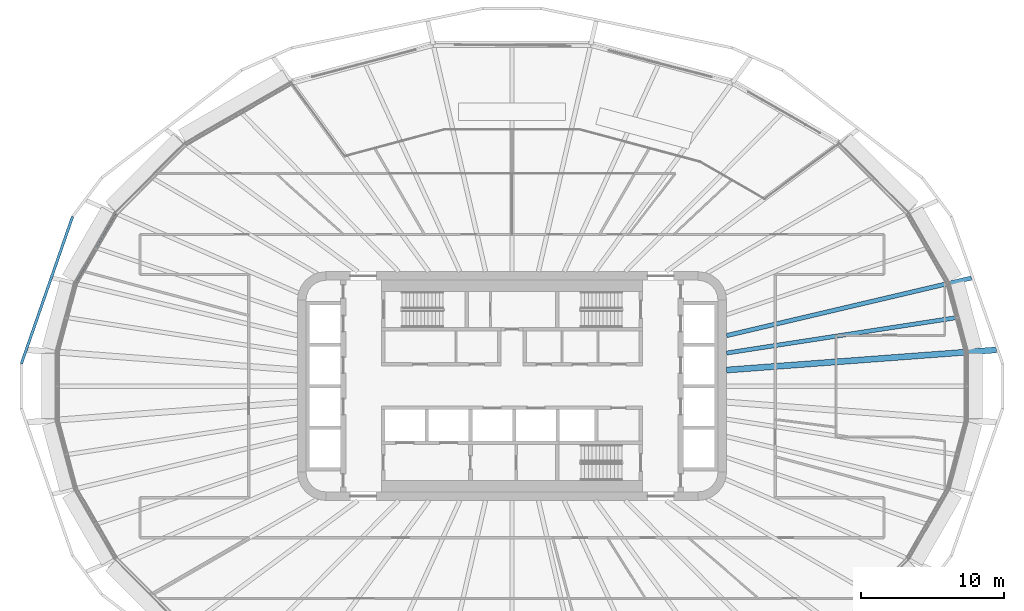
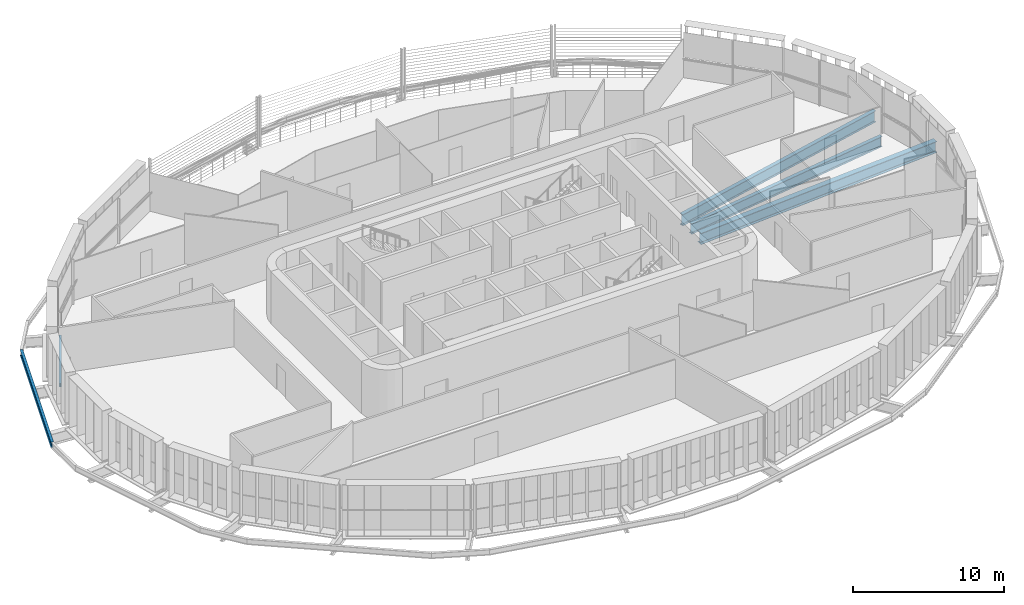
# One storey, part 6 of 24: 5 beams.
"""IFC4 building model written with IfcOpenShell, lengths in metres."""

from ifc_helpers import new_model, si_unit, direction, frame, origin, origin_2d, place, context, subcontext, project, spatial, i_section, extrude, material, material_profile, profile_set, type_object, element, save


model = new_model("IFC4")

# Units and contexts
model_context = context("Model", 3, precision=1e-05, world=origin(), true_north=direction((0.0, 1.0)))
body_context = subcontext(model_context, "Body", "Model", "MODEL_VIEW")
ifc_project = project(units=[si_unit("LENGTHUNIT", "METRE"), si_unit("AREAUNIT", "SQUARE_METRE"), si_unit("VOLUMEUNIT", "CUBIC_METRE"), si_unit("PLANEANGLEUNIT", "RADIAN"), si_unit("MASSUNIT", "GRAM", prefix="KILO")], contexts=[model_context])

# Site, building, storey
site_placement = place(None, origin())
site = spatial("IfcSite", under=ifc_project, at=site_placement, CompositionType="ELEMENT")
building_placement = place(site_placement, origin())
building = spatial("IfcBuilding", under=site, at=building_placement, Name="Sahrelin Media Tower", CompositionType="ELEMENT")
storey_placement = place(building_placement, frame((0.0, 0.0, 118.800048828125)))
storey = spatial("IfcBuildingStorey", under=building, at=storey_placement, Name="L23", CompositionType="ELEMENT", Elevation=118.800048828125)

# Beams
ifc_material = material(Name="Steel S355", Category="steel")
ifc_material_profile_1 = material_profile(ifc_material, i_section(OverallWidth=0.1650390625, OverallDepth=0.303466796875, WebThickness=0.006103515625, FlangeThickness=0.01025390625, FilletRadius=0.0087890625, at=origin_2d()), Name="UB 305x165x40")
ifc_profile_set_1 = profile_set([ifc_material_profile_1], Name="Steel S355")
beam_type_1 = type_object("IfcBeamType", Name="Edge beam EB2", PredefinedType="BEAM", material=ifc_profile_set_1)
beam_1_placement = place(storey_placement, frame((-30.445068359375, 7.150146484375, -0.3017578125), z_axis=(0.500039387122, 0.866002662425, 0.0), x_axis=(-0.866002662425, 0.500039387122, 0.0)))
element("IfcBeam", 1, at=beam_1_placement, inside=storey, type_object=beam_type_1, Name="Edge beam L23-15", PredefinedType="BEAM", context=body_context, shape_type="SweptSolid", body=[
    extrude(i_section(OverallWidth=0.1650390625, OverallDepth=0.303466796875, WebThickness=0.006103515625, FlangeThickness=0.01025390625, FilletRadius=0.0087890625, at=origin_2d()), origin(), (0.0, 0.0, 1.0), 5.60107421875),
])
ifc_material_profile_2 = material_profile(ifc_material, i_section(OverallWidth=0.30322265625, OverallDepth=0.903076171875, WebThickness=0.01513671875, FlangeThickness=0.020263671875, FilletRadius=0.01904296875, at=origin_2d()), Name="UB 914x305x201")
ifc_profile_set_2 = profile_set([ifc_material_profile_2], Name="Steel S355")
beam_type_2 = type_object("IfcBeamType", Name="Radial primary beam PB11", PredefinedType="BEAM", material=ifc_profile_set_2)
beam_2_placement = place(storey_placement, frame((15.0, 3.528076171875, -0.6015625), z_axis=(0.973435019662, 0.228963452315, 0.0), x_axis=(-0.228963452315, 0.973435019662, 0.0)))
element("IfcBeam", 2, at=beam_2_placement, inside=storey, type_object=beam_type_2, Name="Radial beam L23-02", PredefinedType="BEAM", context=body_context, shape_type="SweptSolid", body=[
    extrude(i_section(OverallWidth=0.30322265625, OverallDepth=0.903076171875, WebThickness=0.01513671875, FlangeThickness=0.020263671875, FilletRadius=0.01904296875, at=origin_2d()), origin(), (0.0, 0.0, 1.0), 17.574462890625),
])
ifc_material_profile_3 = material_profile(ifc_material, i_section(OverallWidth=0.41845703125, OverallDepth=0.911865234375, WebThickness=0.019287109375, FlangeThickness=0.031982421875, FilletRadius=0.024169921875, at=origin_2d()), Name="UB 914x419x343")
ifc_profile_set_3 = profile_set([ifc_material_profile_3], Name="Steel S355")
beam_type_3 = type_object("IfcBeamType", Name="Radial primary beam PB12", PredefinedType="BEAM", material=ifc_profile_set_3)
beam_3_placement = place(storey_placement, frame((15.0, 1.120849609375, -0.60595703125), z_axis=(0.997220023262, 0.074513255228, 0.0), x_axis=(-0.074513255228, 0.997220023262, 0.0)))
element("IfcBeam", 3, at=beam_3_placement, inside=storey, type_object=beam_type_3, Name="Radial beam L23-01", PredefinedType="BEAM", context=body_context, shape_type="SweptSolid", body=[
    extrude(i_section(OverallWidth=0.41845703125, OverallDepth=0.911865234375, WebThickness=0.019287109375, FlangeThickness=0.031982421875, FilletRadius=0.024169921875, at=origin_2d()), origin(), (0.0, 0.0, 1.0), 18.908447265625),
])
ifc_material_profile_4 = material_profile(ifc_material, i_section(OverallWidth=0.291748046875, OverallDepth=0.8349609375, WebThickness=0.013916015625, FlangeThickness=0.018798828125, FilletRadius=0.017822265625, at=origin_2d()), Name="UB 838x292x176")
ifc_profile_set_4 = profile_set([ifc_material_profile_4], Name="Steel S355")
beam_type_4 = type_object("IfcBeamType", Name="Radial secondary beam SB10", PredefinedType="BEAM", material=ifc_profile_set_4)
beam_4_placement = place(storey_placement, frame((15.0, 2.31005859375, -0.567626953125), z_axis=(0.988350081488, 0.152197622918, 0.0), x_axis=(-0.152197622918, 0.988350081488, 0.0)))
element("IfcBeam", 4, at=beam_4_placement, inside=storey, type_object=beam_type_4, Name="Secondary beam L23-01", PredefinedType="BEAM", context=body_context, shape_type="SweptSolid", body=[
    extrude(i_section(OverallWidth=0.291748046875, OverallDepth=0.8349609375, WebThickness=0.013916015625, FlangeThickness=0.018798828125, FilletRadius=0.017822265625, at=origin_2d()), origin(), (0.0, 0.0, 1.0), 16.1982421875),
])
ifc_material_profile_5 = material_profile(ifc_material, i_section(OverallWidth=0.1904296875, OverallDepth=0.45703125, WebThickness=0.009033203125, FlangeThickness=0.014404296875, FilletRadius=0.01025390625, at=origin_2d()), Name="UB 457x191x74")
ifc_profile_set_5 = profile_set([ifc_material_profile_5], Name="Steel S355")
beam_type_5 = type_object("IfcBeamType", Name="Tie chord TC5", PredefinedType="BEAM", material=ifc_profile_set_5)
beam_5_placement = place(storey_placement, frame((-30.71337890625, 11.84619140625, -0.378662109375), z_axis=(-0.328796235536, -0.944400887069, 0.0), x_axis=(0.944400887069, -0.328796235536, 0.0)))
element("IfcBeam", 5, at=beam_5_placement, inside=storey, type_object=beam_type_5, Name="Tie chord L23-11", PredefinedType="BEAM", context=body_context, shape_type="SweptSolid", body=[
    extrude(i_section(OverallWidth=0.1904296875, OverallDepth=0.45703125, WebThickness=0.009033203125, FlangeThickness=0.014404296875, FilletRadius=0.01025390625, at=origin_2d()), origin(), (0.0, 0.0, 1.0), 10.890625),
])

save(model, "model.ifc")
